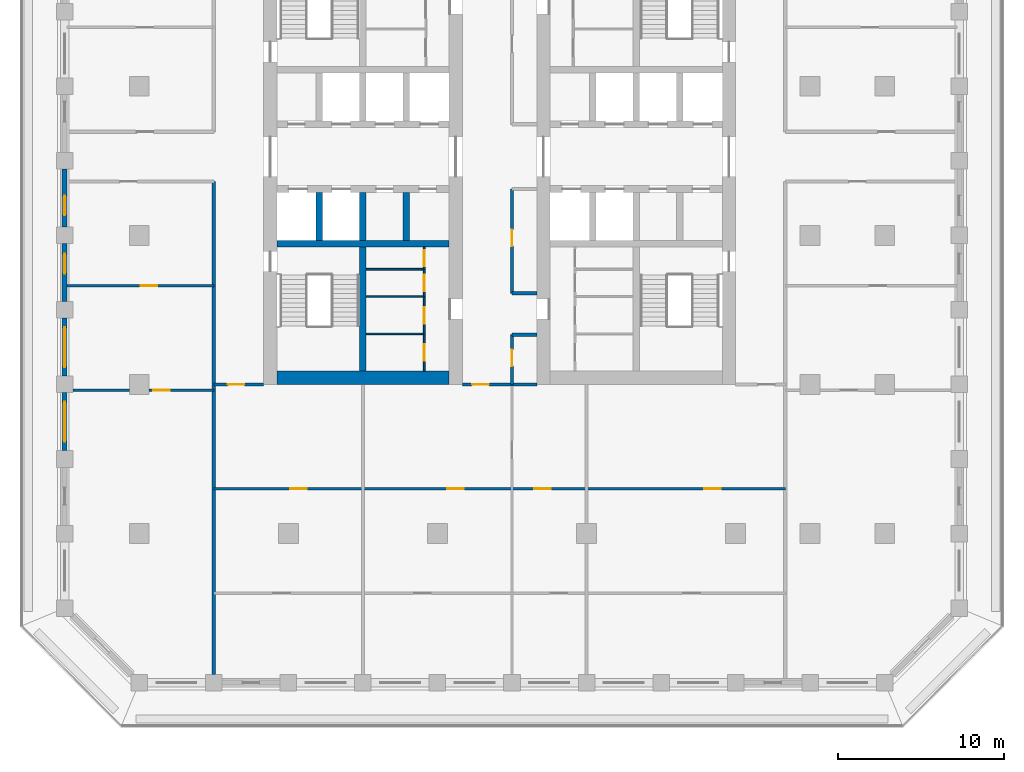
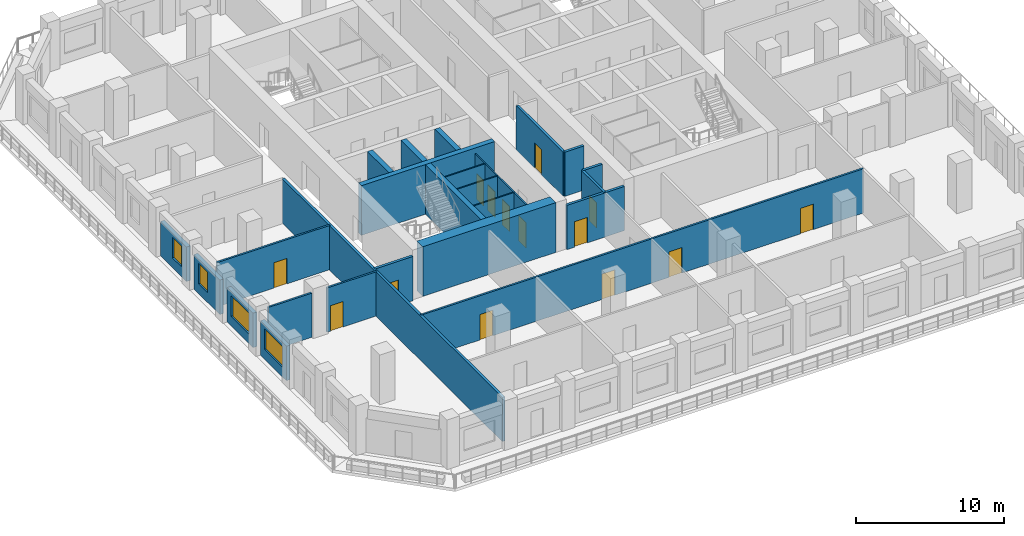
# One storey, part 3 of 16: 28 walls, 14 doors, 4 windows, 18 openings.
"""IFC4 building model written with IfcOpenShell, lengths in metres."""

import ifcopenshell
import ifcopenshell.guid

model = None  # the IFC model being written
_history = None  # IfcOwnerHistory: only IFC2X3 demands one
_inside = {}  # id of a spatial element -> (the spatial element, [elements in it])
_under = {}  # id of a project, library or spatial element -> (it, [spatial elements below it])
_declared = {}  # id of a project -> (the project, [libraries it declares])
_typed = {}  # id of a type object -> (the type object, [elements of that type])
_made_of = {}  # id of a material, layer set ... -> (it, [elements and type objects made of it])


def new_model(schema):
    """Start an empty IFC model of exactly this schema.

    Asked for "IFC4X3", IfcOpenShell would pick the latest addendum, in which some entities
    have other attributes; the version numbers below select the first issue.
    IFC2X3 requires an IfcOwnerHistory on every rooted entity: one is made here for all.
    """
    global model, _history
    if schema == "IFC4X3":
        model = ifcopenshell.file(schema_version=(4, 3, 0, 0))
    else:
        model = ifcopenshell.file(schema=schema)
    _inside.clear()
    _under.clear()
    _declared.clear()
    _typed.clear()
    _made_of.clear()
    _history = None
    if model.schema == "IFC2X3":
        org = make("IfcOrganization", Name="unknown")
        user = make(
            "IfcPersonAndOrganization",
            ThePerson=make("IfcPerson", FamilyName="unknown"),
            TheOrganization=org,
        )
        app = make(
            "IfcApplication",
            ApplicationDeveloper=org,
            Version="unknown",
            ApplicationFullName="unknown",
            ApplicationIdentifier="unknown",
        )
        _history = make(
            "IfcOwnerHistory",
            OwningUser=user,
            OwningApplication=app,
            ChangeAction="ADDED",
            CreationDate=0,
        )
    return model


def make(cls, **values):
    """One entity of the class cls with the attributes given. An attribute that is None is left unset."""
    return model.create_entity(
        cls, **{name: value for name, value in values.items() if value is not None}
    )


def rooted(cls, **values):
    """An entity with a GlobalId (a new one), such as an element, a storey or a relation."""
    return make(cls, GlobalId=ifcopenshell.guid.new(), OwnerHistory=_history, **values)


def si_unit(unit_type, name, prefix=None):
    """IfcSIUnit, for example si_unit("LENGTHUNIT", "METRE", prefix="MILLI")."""
    return make("IfcSIUnit", UnitType=unit_type, Prefix=prefix, Name=name)


def assignment(units):
    """IfcUnitAssignment: the units of a project."""
    return None if units is None else make("IfcUnitAssignment", Units=units)


def point(xyz):
    """IfcCartesianPoint."""
    return None if xyz is None else make("IfcCartesianPoint", Coordinates=xyz)


def direction(xyz):
    """IfcDirection."""
    return None if xyz is None else make("IfcDirection", DirectionRatios=xyz)


def frame(location, z_axis=None, x_axis=None):
    """IfcAxis2Placement3D, a coordinate frame: its origin and axes. An axis left out is left unset."""
    return make(
        "IfcAxis2Placement3D",
        Location=point(location),
        Axis=direction(z_axis),
        RefDirection=direction(x_axis),
    )


def frame_2d(location, x_axis=None):
    """IfcAxis2Placement2D, a coordinate frame in the plane: its origin and x axis."""
    return make(
        "IfcAxis2Placement2D", Location=point(location), RefDirection=direction(x_axis)
    )


def origin():
    """The frame at (0, 0, 0) with its axes left unset."""
    return frame((0.0, 0.0, 0.0))


def place(relative_to, where):
    """IfcLocalPlacement: puts the frame where relative to a parent placement (None: the world)."""
    return make(
        "IfcLocalPlacement", PlacementRelTo=relative_to, RelativePlacement=where
    )


def context(
    kind, dimensions, precision=None, world=None, true_north=None, identifier=None
):
    """IfcGeometricRepresentationContext, for example the 3D "Model" context."""
    return make(
        "IfcGeometricRepresentationContext",
        ContextIdentifier=identifier,
        ContextType=kind,
        CoordinateSpaceDimension=dimensions,
        Precision=precision,
        WorldCoordinateSystem=world,
        TrueNorth=true_north,
    )


def subcontext(parent, identifier, kind, view, scale=None):
    """IfcGeometricRepresentationSubContext, for example "Body" below "Model"."""
    return make(
        "IfcGeometricRepresentationSubContext",
        ContextIdentifier=identifier,
        ContextType=kind,
        ParentContext=parent,
        TargetScale=scale,
        TargetView=view,
    )


def project(units=None, contexts=None):
    """IfcProject with its units and contexts."""
    return rooted(
        "IfcProject",
        Name="project",
        RepresentationContexts=contexts,
        UnitsInContext=assignment(units),
    )


def spatial(cls, under=None, at=None, **own):
    """A site, building, storey or space (cls), placed at a placement, below another one or the project."""
    s = rooted(cls, ObjectPlacement=at, **own)
    if under is not None:
        _under.setdefault(under.id(), (under, []))[1].append(s)
    return s


def profile(cls, at=None, kind="AREA", **sizes):
    """A parametric profile (cls). Its sizes go by their IFC names, for example OverallWidth=200.0."""
    return make(cls, ProfileType=kind, Position=at, **sizes)


def rectangle(**sizes):
    """IfcRectangleProfileDef."""
    return profile("IfcRectangleProfileDef", **sizes)


def extrude(swept, where, along, depth):
    """IfcExtrudedAreaSolid: the profile swept, set in the frame where, extruded along a direction by depth."""
    return make(
        "IfcExtrudedAreaSolid",
        SweptArea=swept,
        Position=where,
        ExtrudedDirection=direction(along),
        Depth=depth,
    )


def shape(context_of_items, identifier, shape_type, items):
    """IfcShapeRepresentation: the items that make up one representation, for example the "Body"."""
    return make(
        "IfcShapeRepresentation",
        ContextOfItems=context_of_items,
        RepresentationIdentifier=identifier,
        RepresentationType=shape_type,
        Items=items,
    )


def material(Name=None, Category=None):
    """IfcMaterial."""
    return make("IfcMaterial", Name=Name, Category=Category)


def layer(
    of_material, thickness, ventilated=None, Name=None, Category=None, Priority=None
):
    """IfcMaterialLayer: one layer of a wall or slab, of a material (None: an air gap)."""
    return make(
        "IfcMaterialLayer",
        Material=of_material,
        LayerThickness=thickness,
        IsVentilated=ventilated,
        Name=Name,
        Category=Category,
        Priority=Priority,
    )


def layer_set(layers, Name=None):
    """IfcMaterialLayerSet."""
    return make("IfcMaterialLayerSet", MaterialLayers=layers, LayerSetName=Name)


def made_of(thing, what):
    """Note that an element or type object is made of a material, layer set ...; save() writes the relation."""
    if what is not None:
        _made_of.setdefault(what.id(), (what, []))[1].append(thing)
    return thing


def type_object(cls, material=None, **own):
    """A type object (cls), such as IfcWallType, which elements share."""
    return made_of(rooted(cls, **own), material)


def element(
    cls,
    number,
    at=None,
    inside=None,
    cuts=None,
    type_object=None,
    material=None,
    context=None,
    identifier="Body",
    shape_type=None,
    held_by="IfcProductDefinitionShape",
    body=None,
    shapes=None,
    **own,
):
    """One element of the class cls, such as IfcWall. Its Tag is "e" and its number.

    at: its placement. inside: the storey or other place that contains it. cuts: it is an
    opening in that element (IfcRelVoidsElement). A single representation is given by context,
    identifier, shape_type and body (its items); several are given by shapes. held_by: the class
    of the entity that holds the representations. save() writes the other relations.
    """
    e = rooted(cls, Tag="e%d" % number, ObjectPlacement=at, **own)
    if body is not None:
        shapes = [shape(context, identifier, shape_type, body)]
    if shapes is not None:
        e.Representation = make(held_by, Representations=shapes)
    if inside is not None:
        _inside.setdefault(inside.id(), (inside, []))[1].append(e)
    if cuts is not None:
        rooted(
            "IfcRelVoidsElement", RelatingBuildingElement=cuts, RelatedOpeningElement=e
        )
    if type_object is not None:
        _typed.setdefault(type_object.id(), (type_object, []))[1].append(e)
    return made_of(e, material)


def fill(opening, filler):
    """IfcRelFillsElement: the door or window that sits in an opening."""
    return rooted(
        "IfcRelFillsElement",
        RelatingOpeningElement=opening,
        RelatedBuildingElement=filler,
    )


def aggregate(whole, parts):
    """IfcRelAggregates: a whole, such as a stair, and the parts it consists of."""
    return rooted("IfcRelAggregates", RelatingObject=whole, RelatedObjects=parts)


def save(model, path):
    """Write the relations noted so far, then the file.

    IfcRelAggregates (storeys below a building ...), IfcRelContainedInSpatialStructure (elements
    in a storey), IfcRelDefinesByType, IfcRelAssociatesMaterial and IfcRelDeclares: one each for
    every whole, place, type object, material and project.
    """
    for whole, parts in _under.values():
        aggregate(whole, parts)
    for where, things in _inside.values():
        rooted(
            "IfcRelContainedInSpatialStructure",
            RelatedElements=things,
            RelatingStructure=where,
        )
    for kind, things in _typed.values():
        rooted("IfcRelDefinesByType", RelatedObjects=things, RelatingType=kind)
    for what, things in _made_of.values():
        rooted("IfcRelAssociatesMaterial", RelatedObjects=things, RelatingMaterial=what)
    for by, libraries in _declared.values():
        rooted("IfcRelDeclares", RelatingContext=by, RelatedDefinitions=libraries)
    model.write(path)


model = new_model("IFC4")

# Units and contexts
model_context = context("Model", 3, precision=1e-05, world=origin(), true_north=direction((0.0, 1.0)))
body_context = subcontext(model_context, "Body", "Model", "MODEL_VIEW")
ifc_project = project(units=[si_unit("LENGTHUNIT", "METRE"), si_unit("AREAUNIT", "SQUARE_METRE"), si_unit("VOLUMEUNIT", "CUBIC_METRE"), si_unit("PLANEANGLEUNIT", "RADIAN"), si_unit("MASSUNIT", "GRAM", prefix="KILO")], contexts=[model_context])

# Site, building, storey
site_placement = place(None, origin())
site = spatial("IfcSite", under=ifc_project, at=site_placement, CompositionType="ELEMENT")
building_placement = place(site_placement, origin())
building = spatial("IfcBuilding", under=site, at=building_placement, Name="Corbel Stack Research Tower", CompositionType="ELEMENT")
storey_placement = place(building_placement, frame((0.0, 0.0, 203.800048828125)))
storey = spatial("IfcBuildingStorey", under=building, at=storey_placement, Name="L46", CompositionType="ELEMENT", Elevation=203.800048828125)

# Walls
ifc_material_1 = material(Name="Concrete C60/75", Category="concrete")
ifc_layer_1 = layer(ifc_material_1, 0.39990234375)
ifc_layer_set_1 = layer_set([ifc_layer_1], Name="Concrete C60/75")
wall_type_1 = type_object("IfcWallType", Name="CW-400-60", PredefinedType="SHEAR", material=ifc_layer_set_1)
wall_1_placement = place(storey_placement, frame((-9.699951171875, -0.5, 0.0), z_axis=(0.0, 0.0, 1.0), x_axis=(1.0, 0.0, 0.0)))
element("IfcWall", 1, at=wall_1_placement, inside=storey, type_object=wall_type_1, Name="West core wall, south row back L46", PredefinedType="SHEAR", context=body_context, shape_type="SweptSolid", body=[
    extrude(rectangle(XDim=10.39990234375, YDim=0.39990234375, at=frame_2d((5.199951171875, 0.0))), origin(), (0.0, 0.0, 1.0), 4.099853515625),
])
for number, where, z_axis, x_axis, name in (
    (2, (-7.125, -0.300048828125, 0.0), (0.0, 0.0, 1.0), (0.0, 1.0, 0.0), "West core wall, south shaft 1 L46"),
    (3, (-4.5, -0.300048828125, 0.0), (0.0, 0.0, 1.0), (0.0, 1.0, 0.0), "West core wall, south shaft 2 L46"),
    (4, (-1.875, -0.300048828125, 0.0), (0.0, 0.0, 1.0), (0.0, 1.0, 0.0), "West core wall, south shaft 3 L46"),
):
    element("IfcWall", number, at=place(storey_placement, frame(where, z_axis=z_axis, x_axis=x_axis)), inside=storey, type_object=wall_type_1, Name=name, PredefinedType="SHEAR", context=body_context, shape_type="SweptSolid", body=[
        extrude(rectangle(XDim=2.900146484375, YDim=0.39990234375, at=frame_2d((1.4501953125, 0.0))), origin(), (0.0, 0.0, 1.0), 4.099853515625),
    ])
wall_2_placement = place(storey_placement, frame((-4.5, -8.199951171875, 0.0), z_axis=(0.0, 0.0, 1.0), x_axis=(0.0, 1.0, 0.0)))
element("IfcWall", 5, at=wall_2_placement, inside=storey, type_object=wall_type_1, Name="West core wall, south stair and WC L46", PredefinedType="SHEAR", context=body_context, shape_type="SweptSolid", body=[
    extrude(rectangle(XDim=7.5, YDim=0.39990234375, at=frame_2d((3.75, 0.0))), origin(), (0.0, 0.0, 1.0), 4.099853515625),
])
ifc_material_2 = material(Name="Concrete C60/75", Category="concrete")
ifc_layer_2 = layer(ifc_material_2, 0.800048828125)
ifc_layer_set_2 = layer_set([ifc_layer_2], Name="Concrete C60/75")
wall_type_2 = type_object("IfcWallType", Name="CW-800-60", PredefinedType="SHEAR", material=ifc_layer_set_2)
wall_3_placement = place(storey_placement, frame((-9.699951171875, -8.60009765625, 0.0), z_axis=(0.0, 0.0, 1.0), x_axis=(1.0, 0.0, 0.0)))
element("IfcWall", 6, at=wall_3_placement, inside=storey, type_object=wall_type_2, Name="West core wall, south end L46", PredefinedType="SHEAR", context=body_context, shape_type="SweptSolid", body=[
    extrude(rectangle(XDim=10.39990234375, YDim=0.800048828125, at=frame_2d((5.199951171875, 0.0))), origin(), (0.0, 0.0, 1.0), 4.099853515625),
])

# Wall, opening, door
ifc_material_3 = material(Name="Gypsum board")
ifc_layer_3 = layer(ifc_material_3, 0.10009765625)
ifc_layer_set_3 = layer_set([ifc_layer_3], Name="Gypsum board")
wall_type_3 = type_object("IfcWallType", Name="Core partition 100", PredefinedType="PARTITIONING", material=ifc_layer_set_3)
wall_4_placement = place(storey_placement, frame((-0.800048828125, -8.199951171875, 0.0), z_axis=(0.0, 0.0, 1.0), x_axis=(0.0, 1.0, 0.0)))
wall_4 = element("IfcWall", 7, at=wall_4_placement, inside=storey, type_object=wall_type_3, Name="Core partition W", PredefinedType="PARTITIONING", context=body_context, shape_type="SweptSolid", body=[
    extrude(rectangle(XDim=2.25, YDim=0.10009765625, at=frame_2d((1.125, 0.0))), origin(), (0.0, 0.0, 1.0), 3.64990234375),
])
opening_1_placement = place(wall_4_placement, frame((0.625, 0.0, 0.0)))
opening_1 = element("IfcOpeningElement", 8, at=opening_1_placement, cuts=wall_4, Name="Opening CR-W42-W2-1000", PredefinedType="OPENING", context=body_context, shape_type="SweptSolid", body=[
    extrude(rectangle(XDim=1.0, YDim=2.10009765625, at=frame_2d((0.5, 1.050048828125))), frame((0.0, 0.06005859375, 0.0), z_axis=(0.0, -1.0, 0.0), x_axis=(1.0, 0.0, 0.0)), (0.0, 0.0, 1.0), 0.1201171875),
])
ifc_material_4 = material(Name="Painted timber door", Category="wood")
door_type_1 = type_object("IfcDoorType", Name="WC door 1000 x 2100 right hand", OperationType="SINGLE_SWING_RIGHT", PredefinedType="DOOR", material=ifc_material_4)
door_1_placement = place(opening_1_placement, origin())
door_1 = element("IfcDoor", 9, at=door_1_placement, inside=storey, type_object=door_type_1, Name="Men's WC door W core", OperationType="SINGLE_SWING_RIGHT", OverallHeight=2.10009765625, OverallWidth=1.0, PredefinedType="DOOR", context=body_context, shape_type="SweptSolid", body=[
    extrude(rectangle(XDim=1.0, YDim=2.10009765625, at=frame_2d((0.5, 1.050048828125))), frame((0.0, 0.02490234375, 0.0), z_axis=(0.0, -1.0, 0.0), x_axis=(1.0, 0.0, 0.0)), (0.0, 0.0, 1.0), 0.050048828125),
])
fill(opening_1, door_1)

wall_5_placement = place(storey_placement, frame((-0.800048828125, -5.949951171875, 0.0), z_axis=(0.0, 0.0, 1.0), x_axis=(0.0, 1.0, 0.0)))
wall_5 = element("IfcWall", 10, at=wall_5_placement, inside=storey, type_object=wall_type_3, Name="Core partition W", PredefinedType="PARTITIONING", context=body_context, shape_type="SweptSolid", body=[
    extrude(rectangle(XDim=2.25, YDim=0.10009765625, at=frame_2d((1.125, 0.0))), origin(), (0.0, 0.0, 1.0), 3.64990234375),
])
opening_2_placement = place(wall_5_placement, frame((0.625, 0.0, 0.0)))
opening_2 = element("IfcOpeningElement", 11, at=opening_2_placement, cuts=wall_5, Name="Opening CR-W42-W3-1000", PredefinedType="OPENING", context=body_context, shape_type="SweptSolid", body=[
    extrude(rectangle(XDim=1.0, YDim=2.10009765625, at=frame_2d((0.5, 1.050048828125))), frame((0.0, 0.06005859375, 0.0), z_axis=(0.0, -1.0, 0.0), x_axis=(1.0, 0.0, 0.0)), (0.0, 0.0, 1.0), 0.1201171875),
])
ifc_material_5 = material(Name="Painted timber door", Category="wood")
door_type_2 = type_object("IfcDoorType", Name="WC door 1000 x 2100 left hand", OperationType="SINGLE_SWING_LEFT", PredefinedType="DOOR", material=ifc_material_5)
door_2_placement = place(opening_2_placement, origin())
door_2 = element("IfcDoor", 12, at=door_2_placement, inside=storey, type_object=door_type_2, Name="Women's WC door W core", OperationType="SINGLE_SWING_LEFT", OverallHeight=2.10009765625, OverallWidth=1.0, PredefinedType="DOOR", context=body_context, shape_type="SweptSolid", body=[
    extrude(rectangle(XDim=1.0, YDim=2.10009765625, at=frame_2d((0.5, 1.050048828125))), frame((0.0, 0.02490234375, 0.0), z_axis=(0.0, -1.0, 0.0), x_axis=(1.0, 0.0, 0.0)), (0.0, 0.0, 1.0), 0.050048828125),
])
fill(opening_2, door_2)

wall_6_placement = place(storey_placement, frame((-0.800048828125, -3.699951171875, 0.0), z_axis=(0.0, 0.0, 1.0), x_axis=(0.0, 1.0, 0.0)))
wall_6 = element("IfcWall", 13, at=wall_6_placement, inside=storey, type_object=wall_type_3, Name="Core partition W", PredefinedType="PARTITIONING", context=body_context, shape_type="SweptSolid", body=[
    extrude(rectangle(XDim=1.64990234375, YDim=0.10009765625, at=frame_2d((0.824951171875, 0.0))), origin(), (0.0, 0.0, 1.0), 3.64990234375),
])
opening_3_placement = place(wall_6_placement, frame((0.324951171875, 0.0, 0.0)))
opening_3 = element("IfcOpeningElement", 14, at=opening_3_placement, cuts=wall_6, Name="Opening CR-W42-W4-1000", PredefinedType="OPENING", context=body_context, shape_type="SweptSolid", body=[
    extrude(rectangle(XDim=1.0, YDim=2.10009765625, at=frame_2d((0.5, 1.050048828125))), frame((0.0, 0.06005859375, 0.0), z_axis=(0.0, -1.0, 0.0), x_axis=(1.0, 0.0, 0.0)), (0.0, 0.0, 1.0), 0.1201171875),
])
door_3_placement = place(opening_3_placement, origin())
door_3 = element("IfcDoor", 15, at=door_3_placement, inside=storey, type_object=door_type_1, Name="Accessible WC door W core", OperationType="SINGLE_SWING_RIGHT", OverallHeight=2.10009765625, OverallWidth=1.0, PredefinedType="DOOR", context=body_context, shape_type="SweptSolid", body=[
    extrude(rectangle(XDim=1.0, YDim=2.10009765625, at=frame_2d((0.5, 1.050048828125))), frame((0.0, 0.02490234375, 0.0), z_axis=(0.0, -1.0, 0.0), x_axis=(1.0, 0.0, 0.0)), (0.0, 0.0, 1.0), 0.050048828125),
])
fill(opening_3, door_3)

wall_7_placement = place(storey_placement, frame((-0.800048828125, -2.050048828125, 0.0), z_axis=(0.0, 0.0, 1.0), x_axis=(0.0, 1.0, 0.0)))
wall_7 = element("IfcWall", 16, at=wall_7_placement, inside=storey, type_object=wall_type_3, Name="Core partition W", PredefinedType="PARTITIONING", context=body_context, shape_type="SweptSolid", body=[
    extrude(rectangle(XDim=1.35009765625, YDim=0.10009765625, at=frame_2d((0.675048828125, 0.0))), origin(), (0.0, 0.0, 1.0), 3.64990234375),
])
opening_4_placement = place(wall_7_placement, frame((0.199951171875, 0.0, 0.0)))
opening_4 = element("IfcOpeningElement", 17, at=opening_4_placement, cuts=wall_7, Name="Opening CR-W42-W5-950", PredefinedType="OPENING", context=body_context, shape_type="SweptSolid", body=[
    extrude(rectangle(XDim=0.949951171875, YDim=2.10009765625, at=frame_2d((0.47509765625, 1.050048828125))), frame((0.0, 0.06005859375, 0.0), z_axis=(0.0, -1.0, 0.0), x_axis=(1.0, 0.0, 0.0)), (0.0, 0.0, 1.0), 0.1201171875),
])
ifc_material_6 = material(Name="Painted steel door", Category="steel")
door_type_3 = type_object("IfcDoorType", Name="Service door 950 x 2100 FD30 left hand", OperationType="SINGLE_SWING_LEFT", PredefinedType="DOOR", material=ifc_material_6)
door_4_placement = place(opening_4_placement, origin())
door_4 = element("IfcDoor", 18, at=door_4_placement, inside=storey, type_object=door_type_3, Name="Cleaner's store door W core", OperationType="SINGLE_SWING_LEFT", OverallHeight=2.10009765625, OverallWidth=0.949951171875, PredefinedType="DOOR", context=body_context, shape_type="SweptSolid", body=[
    extrude(rectangle(XDim=0.949951171875, YDim=2.10009765625, at=frame_2d((0.47509765625, 1.050048828125))), frame((0.0, 0.02490234375, 0.0), z_axis=(0.0, -1.0, 0.0), x_axis=(1.0, 0.0, 0.0)), (0.0, 0.0, 1.0), 0.050048828125),
])
fill(opening_4, door_4)

# Walls
for number, where, z_axis, x_axis, name in (
    (19, (-4.300048828125, -5.949951171875, 0.0), (0.0, 0.0, 1.0), (1.0, 0.0, 0.0), "Core partition W"),
    (20, (-4.300048828125, -3.699951171875, 0.0), (0.0, 0.0, 1.0), (1.0, 0.0, 0.0), "Core partition W"),
    (21, (-4.300048828125, -2.050048828125, 0.0), (0.0, 0.0, 1.0), (1.0, 0.0, 0.0), "Core partition W"),
):
    element("IfcWall", number, at=place(storey_placement, frame(where, z_axis=z_axis, x_axis=x_axis)), inside=storey, type_object=wall_type_3, Name=name, PredefinedType="PARTITIONING", context=body_context, shape_type="SweptSolid", body=[
        extrude(rectangle(XDim=3.5, YDim=0.10009765625, at=frame_2d((1.75, 0.0))), origin(), (0.0, 0.0, 1.0), 3.64990234375),
    ])
ifc_material_7 = material(Name="Fire-rated gypsum board partition on steel studs", Category="steel")
ifc_layer_4 = layer(ifc_material_7, 0.199951171875)
ifc_layer_set_4 = layer_set([ifc_layer_4], Name="Fire-rated gypsum board partition on steel studs")
wall_type_4 = type_object("IfcWallType", Name="Fire-rated partition 200 EI 60", PredefinedType="PARTITIONING", material=ifc_layer_set_4)
wall_8_placement = place(storey_placement, frame((-13.5, -26.5, 0.0), z_axis=(0.0, 0.0, 1.0), x_axis=(0.0, 1.0, 0.0)))
element("IfcWall", 22, at=wall_8_placement, inside=storey, type_object=wall_type_4, Name="Partition L46-001", PredefinedType="PARTITIONING", context=body_context, shape_type="SweptSolid", body=[
    extrude(rectangle(XDim=29.75, YDim=0.199951171875, at=frame_2d((14.875, 0.0))), origin(), (0.0, 0.0, 1.0), 3.64990234375),
])

# Wall, opening, door
wall_9_placement = place(storey_placement, frame((4.5, -6.0, 0.0), z_axis=(0.0, 0.0, 1.0), x_axis=(0.0, -1.0, 0.0)))
wall_9 = element("IfcWall", 23, at=wall_9_placement, inside=storey, type_object=wall_type_4, Name="Partition L46-007", PredefinedType="PARTITIONING", context=body_context, shape_type="SweptSolid", body=[
    extrude(rectangle(XDim=3.0, YDim=0.199951171875, at=frame_2d((1.5, 0.0))), origin(), (0.0, 0.0, 1.0), 3.64990234375),
])
opening_5_placement = place(wall_9_placement, frame((0.89990234375, 0.0, 0.0)))
opening_5 = element("IfcOpeningElement", 24, at=opening_5_placement, cuts=wall_9, Name="Opening B6V1-019", PredefinedType="OPENING", context=body_context, shape_type="SweptSolid", body=[
    extrude(rectangle(XDim=1.0, YDim=2.10009765625, at=frame_2d((0.5, 1.050048828125))), frame((0.0, 0.10986328125, 0.0), z_axis=(0.0, -1.0, 0.0), x_axis=(1.0, 0.0, 0.0)), (0.0, 0.0, 1.0), 0.219970703125),
])
ifc_material_8 = material(Name="Painted steel fire door", Category="steel")
door_type_4 = type_object("IfcDoorType", Name="Fire door FD30S 1000 x 2100", OperationType="NOTDEFINED", PredefinedType="DOOR", material=ifc_material_8)
door_5_placement = place(opening_5_placement, origin())
door_5 = element("IfcDoor", 25, at=door_5_placement, inside=storey, type_object=door_type_4, Name="Door B6V1-019", OperationType="SINGLE_SWING_LEFT", OverallHeight=2.10009765625, OverallWidth=1.0, PredefinedType="DOOR", context=body_context, shape_type="SweptSolid", body=[
    extrude(rectangle(XDim=1.0, YDim=2.10009765625, at=frame_2d((0.5, 1.050048828125))), frame((0.0, 0.02490234375, 0.0), z_axis=(0.0, -1.0, 0.0), x_axis=(1.0, 0.0, 0.0)), (0.0, 0.0, 1.0), 0.050048828125),
])
fill(opening_5, door_5)

wall_10_placement = place(storey_placement, frame((4.5, 2.800048828125, 0.0), z_axis=(0.0, 0.0, 1.0), x_axis=(0.0, -1.0, 0.0)))
wall_10 = element("IfcWall", 26, at=wall_10_placement, inside=storey, type_object=wall_type_4, Name="Partition L46-008", PredefinedType="PARTITIONING", context=body_context, shape_type="SweptSolid", body=[
    extrude(rectangle(XDim=6.300048828125, YDim=0.199951171875, at=frame_2d((3.14990234375, 0.0))), origin(), (0.0, 0.0, 1.0), 3.64990234375),
])
opening_6_placement = place(wall_10_placement, frame((2.449951171875, 0.0, 0.0)))
opening_6 = element("IfcOpeningElement", 27, at=opening_6_placement, cuts=wall_10, Name="Opening B6V1-020", PredefinedType="OPENING", context=body_context, shape_type="SweptSolid", body=[
    extrude(rectangle(XDim=1.0, YDim=2.10009765625, at=frame_2d((0.5, 1.050048828125))), frame((0.0, 0.10986328125, 0.0), z_axis=(0.0, -1.0, 0.0), x_axis=(1.0, 0.0, 0.0)), (0.0, 0.0, 1.0), 0.219970703125),
])
door_6_placement = place(opening_6_placement, origin())
door_6 = element("IfcDoor", 28, at=door_6_placement, inside=storey, type_object=door_type_4, Name="Door B6V1-020", OperationType="SINGLE_SWING_LEFT", OverallHeight=2.10009765625, OverallWidth=1.0, PredefinedType="DOOR", context=body_context, shape_type="SweptSolid", body=[
    extrude(rectangle(XDim=1.0, YDim=2.10009765625, at=frame_2d((0.5, 1.050048828125))), frame((0.0, 0.02490234375, 0.0), z_axis=(0.0, -1.0, 0.0), x_axis=(1.0, 0.0, 0.0)), (0.0, 0.0, 1.0), 0.050048828125),
])
fill(opening_6, door_6)

wall_11_placement = place(storey_placement, frame((-10.5, -9.0, 0.0), z_axis=(0.0, 0.0, 1.0), x_axis=(-1.0, 0.0, 0.0)))
wall_11 = element("IfcWall", 29, at=wall_11_placement, inside=storey, type_object=wall_type_4, Name="Partition L46-023", PredefinedType="PARTITIONING", context=body_context, shape_type="SweptSolid", body=[
    extrude(rectangle(XDim=3.0, YDim=0.199951171875, at=frame_2d((1.5, 0.0))), origin(), (0.0, 0.0, 1.0), 3.64990234375),
])
opening_7_placement = place(wall_11_placement, frame((1.14990234375, 0.0, 0.0)))
opening_7 = element("IfcOpeningElement", 30, at=opening_7_placement, cuts=wall_11, Name="Opening B6V1-011", PredefinedType="OPENING", context=body_context, shape_type="SweptSolid", body=[
    extrude(rectangle(XDim=1.0, YDim=2.10009765625, at=frame_2d((0.5, 1.050048828125))), frame((0.0, 0.10986328125, 0.0), z_axis=(0.0, -1.0, 0.0), x_axis=(1.0, 0.0, 0.0)), (0.0, 0.0, 1.0), 0.219970703125),
])
door_7_placement = place(opening_7_placement, origin())
door_7 = element("IfcDoor", 31, at=door_7_placement, inside=storey, type_object=door_type_4, Name="Door B6V1-011", OperationType="SINGLE_SWING_RIGHT", OverallHeight=2.10009765625, OverallWidth=1.0, PredefinedType="DOOR", context=body_context, shape_type="SweptSolid", body=[
    extrude(rectangle(XDim=1.0, YDim=2.10009765625, at=frame_2d((0.5, 1.050048828125))), frame((0.0, 0.02490234375, 0.0), z_axis=(0.0, -1.0, 0.0), x_axis=(1.0, 0.0, 0.0)), (0.0, 0.0, 1.0), 0.050048828125),
])
fill(opening_7, door_7)

wall_12_placement = place(storey_placement, frame((6.0, -9.0, 0.0), z_axis=(0.0, 0.0, 1.0), x_axis=(-1.0, 0.0, 0.0)))
wall_12 = element("IfcWall", 32, at=wall_12_placement, inside=storey, type_object=wall_type_4, Name="Partition L46-024", PredefinedType="PARTITIONING", context=body_context, shape_type="SweptSolid", body=[
    extrude(rectangle(XDim=4.5, YDim=0.199951171875, at=frame_2d((2.25, 0.0))), origin(), (0.0, 0.0, 1.0), 3.64990234375),
])
opening_8_placement = place(wall_12_placement, frame((2.89990234375, 0.0, 0.0)))
opening_8 = element("IfcOpeningElement", 33, at=opening_8_placement, cuts=wall_12, Name="Opening B6V1-012", PredefinedType="OPENING", context=body_context, shape_type="SweptSolid", body=[
    extrude(rectangle(XDim=1.0, YDim=2.10009765625, at=frame_2d((0.5, 1.050048828125))), frame((0.0, 0.10986328125, 0.0), z_axis=(0.0, -1.0, 0.0), x_axis=(1.0, 0.0, 0.0)), (0.0, 0.0, 1.0), 0.219970703125),
])
door_8_placement = place(opening_8_placement, origin())
door_8 = element("IfcDoor", 34, at=door_8_placement, inside=storey, type_object=door_type_4, Name="Door B6V1-012", OperationType="SINGLE_SWING_RIGHT", OverallHeight=2.10009765625, OverallWidth=1.0, PredefinedType="DOOR", context=body_context, shape_type="SweptSolid", body=[
    extrude(rectangle(XDim=1.0, YDim=2.10009765625, at=frame_2d((0.5, 1.050048828125))), frame((0.0, 0.02490234375, 0.0), z_axis=(0.0, -1.0, 0.0), x_axis=(1.0, 0.0, 0.0)), (0.0, 0.0, 1.0), 0.050048828125),
])
fill(opening_8, door_8)

# Walls
for number, where, z_axis, x_axis, name in (
    (35, (4.5, -6.0, 0.0), (0.0, 0.0, 1.0), (1.0, 0.0, 0.0), "Partition L46-026"),
    (36, (4.5, -3.5, 0.0), (0.0, 0.0, 1.0), (1.0, 0.0, 0.0), "Partition L46-027"),
):
    element("IfcWall", number, at=place(storey_placement, frame(where, z_axis=z_axis, x_axis=x_axis)), inside=storey, type_object=wall_type_4, Name=name, PredefinedType="PARTITIONING", context=body_context, shape_type="SweptSolid", body=[
        extrude(rectangle(XDim=1.5, YDim=0.199951171875, at=frame_2d((0.75, 0.0))), origin(), (0.0, 0.0, 1.0), 3.64990234375),
    ])

# Wall, openings, doors
ifc_material_9 = material(Name="Gypsum board partition on steel studs", Category="steel")
ifc_layer_5 = layer(ifc_material_9, 0.14990234375)
ifc_layer_set_5 = layer_set([ifc_layer_5], Name="Gypsum board partition on steel studs")
wall_type_5 = type_object("IfcWallType", Name="Partition 150", PredefinedType="PARTITIONING", material=ifc_layer_set_5)
wall_13_placement = place(storey_placement, frame((21.0, -15.300048828125, 0.0), z_axis=(0.0, 0.0, 1.0), x_axis=(-1.0, 0.0, 0.0)))
wall_13 = element("IfcWall", 37, at=wall_13_placement, inside=storey, type_object=wall_type_5, Name="Partition L46-017", PredefinedType="PARTITIONING", context=body_context, shape_type="SweptSolid", body=[
    extrude(rectangle(XDim=34.5, YDim=0.14990234375, at=frame_2d((17.25, 0.0))), origin(), (0.0, 0.0, 1.0), 3.64990234375),
])
opening_9_placement = place(wall_13_placement, frame((28.89990234375, 0.0, 0.0)))
opening_9 = element("IfcOpeningElement", 38, at=opening_9_placement, cuts=wall_13, Name="Opening B6V1-005", PredefinedType="OPENING", context=body_context, shape_type="SweptSolid", body=[
    extrude(rectangle(XDim=1.0, YDim=2.10009765625, at=frame_2d((0.5, 1.050048828125))), frame((0.0, 0.0849609375, 0.0), z_axis=(0.0, -1.0, 0.0), x_axis=(1.0, 0.0, 0.0)), (0.0, 0.0, 1.0), 0.169921875),
])
opening_10_placement = place(wall_13_placement, frame((19.39990234375, 0.0, 0.0)))
opening_10 = element("IfcOpeningElement", 39, at=opening_10_placement, cuts=wall_13, Name="Opening B6V1-006", PredefinedType="OPENING", context=body_context, shape_type="SweptSolid", body=[
    extrude(rectangle(XDim=1.0, YDim=2.10009765625, at=frame_2d((0.5, 1.050048828125))), frame((0.0, 0.0849609375, 0.0), z_axis=(0.0, -1.0, 0.0), x_axis=(1.0, 0.0, 0.0)), (0.0, 0.0, 1.0), 0.169921875),
])
opening_11_placement = place(wall_13_placement, frame((14.14990234375, 0.0, 0.0)))
opening_11 = element("IfcOpeningElement", 40, at=opening_11_placement, cuts=wall_13, Name="Opening B6V1-007", PredefinedType="OPENING", context=body_context, shape_type="SweptSolid", body=[
    extrude(rectangle(XDim=1.0, YDim=2.10009765625, at=frame_2d((0.5, 1.050048828125))), frame((0.0, 0.0849609375, 0.0), z_axis=(0.0, -1.0, 0.0), x_axis=(1.0, 0.0, 0.0)), (0.0, 0.0, 1.0), 0.169921875),
])
opening_12_placement = place(wall_13_placement, frame((3.89990234375, 0.0, 0.0)))
opening_12 = element("IfcOpeningElement", 41, at=opening_12_placement, cuts=wall_13, Name="Opening B6V1-008", PredefinedType="OPENING", context=body_context, shape_type="SweptSolid", body=[
    extrude(rectangle(XDim=1.0, YDim=2.10009765625, at=frame_2d((0.5, 1.050048828125))), frame((0.0, 0.0849609375, 0.0), z_axis=(0.0, -1.0, 0.0), x_axis=(1.0, 0.0, 0.0)), (0.0, 0.0, 1.0), 0.169921875),
])
ifc_material_10 = material(Name="Painted timber door", Category="wood")
door_type_5 = type_object("IfcDoorType", Name="Single door 1000 x 2100", OperationType="NOTDEFINED", PredefinedType="DOOR", material=ifc_material_10)
door_9_placement = place(opening_9_placement, origin())
door_9 = element("IfcDoor", 42, at=door_9_placement, inside=storey, type_object=door_type_5, Name="Door B6V1-005", OperationType="SINGLE_SWING_RIGHT", OverallHeight=2.10009765625, OverallWidth=1.0, PredefinedType="DOOR", context=body_context, shape_type="SweptSolid", body=[
    extrude(rectangle(XDim=1.0, YDim=2.10009765625, at=frame_2d((0.5, 1.050048828125))), frame((0.0, 0.02490234375, 0.0), z_axis=(0.0, -1.0, 0.0), x_axis=(1.0, 0.0, 0.0)), (0.0, 0.0, 1.0), 0.050048828125),
])
fill(opening_9, door_9)
door_10_placement = place(opening_10_placement, origin())
door_10 = element("IfcDoor", 43, at=door_10_placement, inside=storey, type_object=door_type_5, Name="Door B6V1-006", OperationType="SINGLE_SWING_RIGHT", OverallHeight=2.10009765625, OverallWidth=1.0, PredefinedType="DOOR", context=body_context, shape_type="SweptSolid", body=[
    extrude(rectangle(XDim=1.0, YDim=2.10009765625, at=frame_2d((0.5, 1.050048828125))), frame((0.0, 0.02490234375, 0.0), z_axis=(0.0, -1.0, 0.0), x_axis=(1.0, 0.0, 0.0)), (0.0, 0.0, 1.0), 0.050048828125),
])
fill(opening_10, door_10)
door_11_placement = place(opening_11_placement, origin())
door_11 = element("IfcDoor", 44, at=door_11_placement, inside=storey, type_object=door_type_5, Name="Door B6V1-007", OperationType="SINGLE_SWING_LEFT", OverallHeight=2.10009765625, OverallWidth=1.0, PredefinedType="DOOR", context=body_context, shape_type="SweptSolid", body=[
    extrude(rectangle(XDim=1.0, YDim=2.10009765625, at=frame_2d((0.5, 1.050048828125))), frame((0.0, 0.02490234375, 0.0), z_axis=(0.0, -1.0, 0.0), x_axis=(1.0, 0.0, 0.0)), (0.0, 0.0, 1.0), 0.050048828125),
])
fill(opening_11, door_11)
door_12_placement = place(opening_12_placement, origin())
door_12 = element("IfcDoor", 45, at=door_12_placement, inside=storey, type_object=door_type_5, Name="Door B6V1-008", OperationType="SINGLE_SWING_LEFT", OverallHeight=2.10009765625, OverallWidth=1.0, PredefinedType="DOOR", context=body_context, shape_type="SweptSolid", body=[
    extrude(rectangle(XDim=1.0, YDim=2.10009765625, at=frame_2d((0.5, 1.050048828125))), frame((0.0, 0.02490234375, 0.0), z_axis=(0.0, -1.0, 0.0), x_axis=(1.0, 0.0, 0.0)), (0.0, 0.0, 1.0), 0.050048828125),
])
fill(opening_12, door_12)

# Wall
wall_14_placement = place(storey_placement, frame((-22.0, -9.35009765625, 0.0), z_axis=(0.0, 0.0, 1.0), x_axis=(1.0, 0.0, 0.0)))
element("IfcWall", 46, at=wall_14_placement, inside=storey, type_object=wall_type_5, Name="Partition L46-018", PredefinedType="PARTITIONING", context=body_context, shape_type="SweptSolid", body=[
    extrude(rectangle(XDim=3.39990234375, YDim=0.14990234375, at=frame_2d((1.699951171875, 0.0))), origin(), (0.0, 0.0, 1.0), 3.64990234375),
])

# Wall, opening, door
wall_15_placement = place(storey_placement, frame((-13.5, -9.35009765625, 0.0), z_axis=(0.0, 0.0, 1.0), x_axis=(-1.0, 0.0, 0.0)))
wall_15 = element("IfcWall", 47, at=wall_15_placement, inside=storey, type_object=wall_type_5, Name="Partition L46-019", PredefinedType="PARTITIONING", context=body_context, shape_type="SweptSolid", body=[
    extrude(rectangle(XDim=3.89990234375, YDim=0.14990234375, at=frame_2d((1.949951171875, 0.0))), origin(), (0.0, 0.0, 1.0), 3.64990234375),
])
opening_13_placement = place(wall_15_placement, frame((2.64990234375, 0.0, 0.0)))
opening_13 = element("IfcOpeningElement", 48, at=opening_13_placement, cuts=wall_15, Name="Opening B6V1-009", PredefinedType="OPENING", context=body_context, shape_type="SweptSolid", body=[
    extrude(rectangle(XDim=1.0, YDim=2.10009765625, at=frame_2d((0.5, 1.050048828125))), frame((0.0, 0.0849609375, 0.0), z_axis=(0.0, -1.0, 0.0), x_axis=(1.0, 0.0, 0.0)), (0.0, 0.0, 1.0), 0.169921875),
])
door_13_placement = place(opening_13_placement, origin())
door_13 = element("IfcDoor", 49, at=door_13_placement, inside=storey, type_object=door_type_5, Name="Door B6V1-009", OperationType="SINGLE_SWING_RIGHT", OverallHeight=2.10009765625, OverallWidth=1.0, PredefinedType="DOOR", context=body_context, shape_type="SweptSolid", body=[
    extrude(rectangle(XDim=1.0, YDim=2.10009765625, at=frame_2d((0.5, 1.050048828125))), frame((0.0, 0.02490234375, 0.0), z_axis=(0.0, -1.0, 0.0), x_axis=(1.0, 0.0, 0.0)), (0.0, 0.0, 1.0), 0.050048828125),
])
fill(opening_13, door_13)

wall_16_placement = place(storey_placement, frame((-13.5, -3.050048828125, 0.0), z_axis=(0.0, 0.0, 1.0), x_axis=(-1.0, 0.0, 0.0)))
wall_16 = element("IfcWall", 50, at=wall_16_placement, inside=storey, type_object=wall_type_5, Name="Partition L46-028", PredefinedType="PARTITIONING", context=body_context, shape_type="SweptSolid", body=[
    extrude(rectangle(XDim=8.85009765625, YDim=0.14990234375, at=frame_2d((4.425048828125, 0.0))), origin(), (0.0, 0.0, 1.0), 3.64990234375),
])
opening_14_placement = place(wall_16_placement, frame((3.39990234375, 0.0, 0.0)))
opening_14 = element("IfcOpeningElement", 51, at=opening_14_placement, cuts=wall_16, Name="Opening B6V1-014", PredefinedType="OPENING", context=body_context, shape_type="SweptSolid", body=[
    extrude(rectangle(XDim=1.0, YDim=2.10009765625, at=frame_2d((0.5, 1.050048828125))), frame((0.0, 0.0849609375, 0.0), z_axis=(0.0, -1.0, 0.0), x_axis=(1.0, 0.0, 0.0)), (0.0, 0.0, 1.0), 0.169921875),
])
door_14_placement = place(opening_14_placement, origin())
door_14 = element("IfcDoor", 52, at=door_14_placement, inside=storey, type_object=door_type_5, Name="Door B6V1-014", OperationType="SINGLE_SWING_LEFT", OverallHeight=2.10009765625, OverallWidth=1.0, PredefinedType="DOOR", context=body_context, shape_type="SweptSolid", body=[
    extrude(rectangle(XDim=1.0, YDim=2.10009765625, at=frame_2d((0.5, 1.050048828125))), frame((0.0, 0.02490234375, 0.0), z_axis=(0.0, -1.0, 0.0), x_axis=(1.0, 0.0, 0.0)), (0.0, 0.0, 1.0), 0.050048828125),
])
fill(opening_14, door_14)

# Wall, opening, window
ifc_material_11 = material(Name="Concrete C45/55", Category="concrete")
ifc_layer_6 = layer(ifc_material_11, 0.300048828125)
ifc_layer_set_6 = layer_set([ifc_layer_6], Name="Concrete C45/55")
wall_type_6 = type_object("IfcWallType", Name="Terracotta-faced concrete wall 300", PredefinedType="SOLIDWALL", material=ifc_layer_set_6)
wall_17_placement = place(storey_placement, frame((-22.5, 0.5, 0.0), z_axis=(0.0, 0.0, 1.0), x_axis=(0.0, 1.0, 0.0)))
wall_17 = element("IfcWall", 53, at=wall_17_placement, inside=storey, type_object=wall_type_6, Name="Facade wall L46 W05", PredefinedType="SOLIDWALL", context=body_context, shape_type="SweptSolid", body=[
    extrude(rectangle(XDim=3.5, YDim=0.300048828125, at=frame_2d((1.75, 0.0))), origin(), (0.0, 0.0, 1.0), 2.849853515625),
])
opening_15_placement = place(wall_17_placement, frame((0.699951171875, 0.0, 0.800048828125)))
opening_15 = element("IfcOpeningElement", 54, at=opening_15_placement, cuts=wall_17, Name="Opening W2", PredefinedType="OPENING", context=body_context, shape_type="SweptSolid", body=[
    extrude(rectangle(XDim=1.199951171875, YDim=1.699951171875, at=frame_2d((0.60009765625, 0.85009765625))), frame((0.0, 0.159912109375, 0.0), z_axis=(0.0, -1.0, 0.0), x_axis=(1.0, 0.0, 0.0)), (0.0, 0.0, 1.0), 0.320068359375),
])
ifc_material_12 = material(Name="Aluminium frame, clear double glazing", Category="aluminium")
window_type_1 = type_object("IfcWindowType", Name="Window W2 1200 x 1700", PartitioningType="SINGLE_PANEL", PredefinedType="WINDOW", material=ifc_material_12)
window_1_placement = place(opening_15_placement, origin())
window_1 = element("IfcWindow", 55, at=window_1_placement, inside=storey, type_object=window_type_1, Name="Window W2 L46 W05", OverallHeight=1.699951171875, OverallWidth=1.199951171875, PartitioningType="SINGLE_PANEL", PredefinedType="WINDOW", context=body_context, shape_type="SweptSolid", body=[
    extrude(rectangle(XDim=1.199951171875, YDim=1.699951171875, at=frame_2d((0.60009765625, 0.85009765625))), frame((0.0, 0.030029296875, 0.0), z_axis=(0.0, -1.0, 0.0), x_axis=(1.0, 0.0, 0.0)), (0.0, 0.0, 1.0), 0.06005859375),
])
fill(opening_15, window_1)

wall_18_placement = place(storey_placement, frame((-22.5, -4.0, 0.0), z_axis=(0.0, 0.0, 1.0), x_axis=(0.0, 1.0, 0.0)))
wall_18 = element("IfcWall", 56, at=wall_18_placement, inside=storey, type_object=wall_type_6, Name="Facade wall L46 W06", PredefinedType="SOLIDWALL", context=body_context, shape_type="SweptSolid", body=[
    extrude(rectangle(XDim=3.5, YDim=0.300048828125, at=frame_2d((1.75, 0.0))), origin(), (0.0, 0.0, 1.0), 2.849853515625),
])
opening_16_placement = place(wall_18_placement, frame((1.6875, 0.0, 0.800048828125)))
opening_16 = element("IfcOpeningElement", 57, at=opening_16_placement, cuts=wall_18, Name="Opening W2", PredefinedType="OPENING", context=body_context, shape_type="SweptSolid", body=[
    extrude(rectangle(XDim=1.199951171875, YDim=1.699951171875, at=frame_2d((0.60009765625, 0.85009765625))), frame((0.0, 0.159912109375, 0.0), z_axis=(0.0, -1.0, 0.0), x_axis=(1.0, 0.0, 0.0)), (0.0, 0.0, 1.0), 0.320068359375),
])
window_2_placement = place(opening_16_placement, origin())
window_2 = element("IfcWindow", 58, at=window_2_placement, inside=storey, type_object=window_type_1, Name="Window W2 L46 W06", OverallHeight=1.699951171875, OverallWidth=1.199951171875, PartitioningType="SINGLE_PANEL", PredefinedType="WINDOW", context=body_context, shape_type="SweptSolid", body=[
    extrude(rectangle(XDim=1.199951171875, YDim=1.699951171875, at=frame_2d((0.60009765625, 0.85009765625))), frame((0.0, 0.030029296875, 0.0), z_axis=(0.0, -1.0, 0.0), x_axis=(1.0, 0.0, 0.0)), (0.0, 0.0, 1.0), 0.06005859375),
])
fill(opening_16, window_2)

wall_19_placement = place(storey_placement, frame((-22.5, -8.5, 0.0), z_axis=(0.0, 0.0, 1.0), x_axis=(0.0, 1.0, 0.0)))
wall_19 = element("IfcWall", 59, at=wall_19_placement, inside=storey, type_object=wall_type_6, Name="Facade wall L46 W07", PredefinedType="SOLIDWALL", context=body_context, shape_type="SweptSolid", body=[
    extrude(rectangle(XDim=3.5, YDim=0.300048828125, at=frame_2d((1.75, 0.0))), origin(), (0.0, 0.0, 1.0), 2.849853515625),
])
opening_17_placement = place(wall_19_placement, frame((0.550048828125, 0.0, 0.800048828125)))
opening_17 = element("IfcOpeningElement", 60, at=opening_17_placement, cuts=wall_19, Name="Opening W1", PredefinedType="OPENING", context=body_context, shape_type="SweptSolid", body=[
    extrude(rectangle(XDim=2.39990234375, YDim=1.699951171875, at=frame_2d((1.199951171875, 0.85009765625))), frame((0.0, 0.159912109375, 0.0), z_axis=(0.0, -1.0, 0.0), x_axis=(1.0, 0.0, 0.0)), (0.0, 0.0, 1.0), 0.320068359375),
])
ifc_material_13 = material(Name="Aluminium frame, clear double glazing", Category="aluminium")
window_type_2 = type_object("IfcWindowType", Name="Window W1 2400 x 1700", PartitioningType="SINGLE_PANEL", PredefinedType="WINDOW", material=ifc_material_13)
window_3_placement = place(opening_17_placement, origin())
window_3 = element("IfcWindow", 61, at=window_3_placement, inside=storey, type_object=window_type_2, Name="Window W1 L46 W07", OverallHeight=1.699951171875, OverallWidth=2.39990234375, PartitioningType="SINGLE_PANEL", PredefinedType="WINDOW", context=body_context, shape_type="SweptSolid", body=[
    extrude(rectangle(XDim=2.39990234375, YDim=1.699951171875, at=frame_2d((1.199951171875, 0.85009765625))), frame((0.0, 0.030029296875, 0.0), z_axis=(0.0, -1.0, 0.0), x_axis=(1.0, 0.0, 0.0)), (0.0, 0.0, 1.0), 0.06005859375),
])
fill(opening_17, window_3)

wall_20_placement = place(storey_placement, frame((-22.5, -13.0, 0.0), z_axis=(0.0, 0.0, 1.0), x_axis=(0.0, 1.0, 0.0)))
wall_20 = element("IfcWall", 62, at=wall_20_placement, inside=storey, type_object=wall_type_6, Name="Facade wall L46 W08", PredefinedType="SOLIDWALL", context=body_context, shape_type="SweptSolid", body=[
    extrude(rectangle(XDim=3.5, YDim=0.300048828125, at=frame_2d((1.75, 0.0))), origin(), (0.0, 0.0, 1.0), 2.849853515625),
])
opening_18_placement = place(wall_20_placement, frame((0.550048828125, 0.0, 0.800048828125)))
opening_18 = element("IfcOpeningElement", 63, at=opening_18_placement, cuts=wall_20, Name="Opening W1", PredefinedType="OPENING", context=body_context, shape_type="SweptSolid", body=[
    extrude(rectangle(XDim=2.39990234375, YDim=1.699951171875, at=frame_2d((1.199951171875, 0.85009765625))), frame((0.0, 0.159912109375, 0.0), z_axis=(0.0, -1.0, 0.0), x_axis=(1.0, 0.0, 0.0)), (0.0, 0.0, 1.0), 0.320068359375),
])
window_4_placement = place(opening_18_placement, origin())
window_4 = element("IfcWindow", 64, at=window_4_placement, inside=storey, type_object=window_type_2, Name="Window W1 L46 W08", OverallHeight=1.699951171875, OverallWidth=2.39990234375, PartitioningType="SINGLE_PANEL", PredefinedType="WINDOW", context=body_context, shape_type="SweptSolid", body=[
    extrude(rectangle(XDim=2.39990234375, YDim=1.699951171875, at=frame_2d((1.199951171875, 0.85009765625))), frame((0.0, 0.030029296875, 0.0), z_axis=(0.0, -1.0, 0.0), x_axis=(1.0, 0.0, 0.0)), (0.0, 0.0, 1.0), 0.06005859375),
])
fill(opening_18, window_4)

save(model, "model.ifc")
